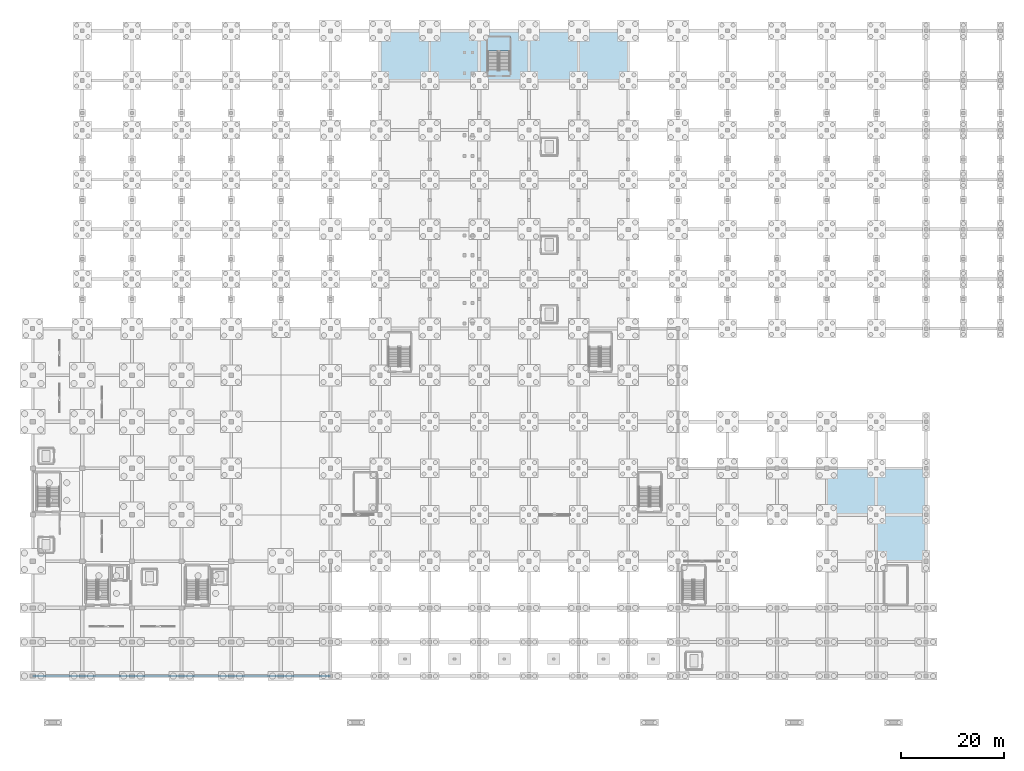
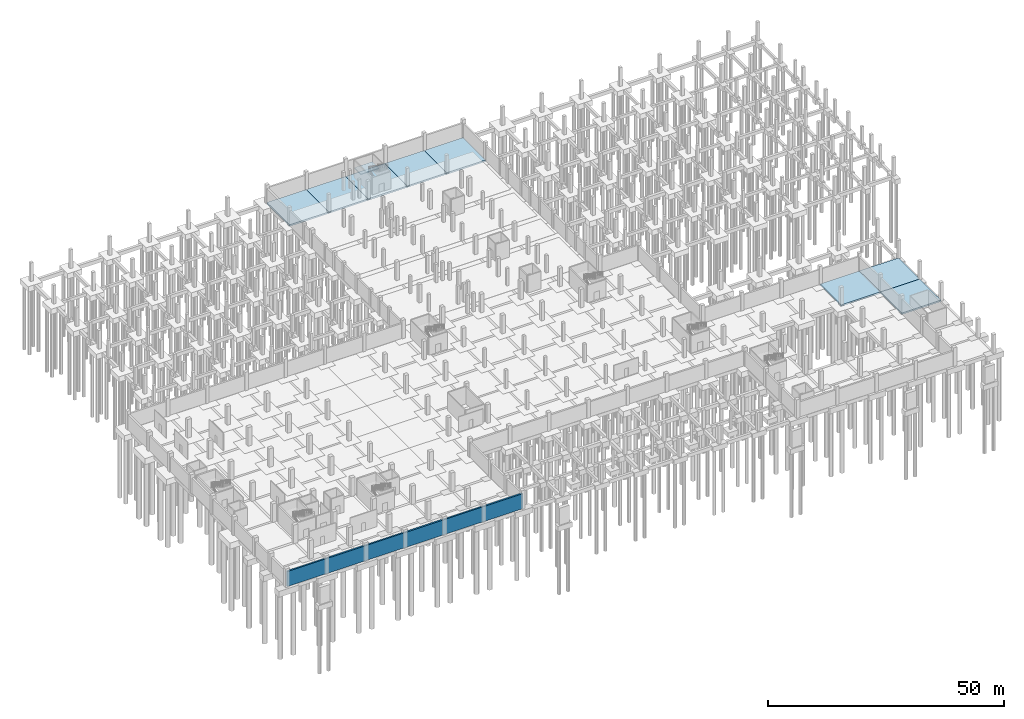
# One storey, part 24 of 39: 9 slabs, 1 wall, 1 element without a shape of its own.
"""IFC4 building model written with IfcOpenShell, lengths in metres."""

import ifcopenshell
import ifcopenshell.guid

model = None  # the IFC model being written
_history = None  # IfcOwnerHistory: only IFC2X3 demands one
_inside = {}  # id of a spatial element -> (the spatial element, [elements in it])
_under = {}  # id of a project, library or spatial element -> (it, [spatial elements below it])
_declared = {}  # id of a project -> (the project, [libraries it declares])
_typed = {}  # id of a type object -> (the type object, [elements of that type])
_made_of = {}  # id of a material, layer set ... -> (it, [elements and type objects made of it])


def new_model(schema):
    """Start an empty IFC model of exactly this schema.

    Asked for "IFC4X3", IfcOpenShell would pick the latest addendum, in which some entities
    have other attributes; the version numbers below select the first issue.
    IFC2X3 requires an IfcOwnerHistory on every rooted entity: one is made here for all.
    """
    global model, _history
    if schema == "IFC4X3":
        model = ifcopenshell.file(schema_version=(4, 3, 0, 0))
    else:
        model = ifcopenshell.file(schema=schema)
    _inside.clear()
    _under.clear()
    _declared.clear()
    _typed.clear()
    _made_of.clear()
    _history = None
    if model.schema == "IFC2X3":
        org = make("IfcOrganization", Name="unknown")
        user = make(
            "IfcPersonAndOrganization",
            ThePerson=make("IfcPerson", FamilyName="unknown"),
            TheOrganization=org,
        )
        app = make(
            "IfcApplication",
            ApplicationDeveloper=org,
            Version="unknown",
            ApplicationFullName="unknown",
            ApplicationIdentifier="unknown",
        )
        _history = make(
            "IfcOwnerHistory",
            OwningUser=user,
            OwningApplication=app,
            ChangeAction="ADDED",
            CreationDate=0,
        )
    return model


def make(cls, **values):
    """One entity of the class cls with the attributes given. An attribute that is None is left unset."""
    return model.create_entity(
        cls, **{name: value for name, value in values.items() if value is not None}
    )


def rooted(cls, **values):
    """An entity with a GlobalId (a new one), such as an element, a storey or a relation."""
    return make(cls, GlobalId=ifcopenshell.guid.new(), OwnerHistory=_history, **values)


def si_unit(unit_type, name, prefix=None):
    """IfcSIUnit, for example si_unit("LENGTHUNIT", "METRE", prefix="MILLI")."""
    return make("IfcSIUnit", UnitType=unit_type, Prefix=prefix, Name=name)


def assignment(units):
    """IfcUnitAssignment: the units of a project."""
    return None if units is None else make("IfcUnitAssignment", Units=units)


def point(xyz):
    """IfcCartesianPoint."""
    return None if xyz is None else make("IfcCartesianPoint", Coordinates=xyz)


def direction(xyz):
    """IfcDirection."""
    return None if xyz is None else make("IfcDirection", DirectionRatios=xyz)


def frame(location, z_axis=None, x_axis=None):
    """IfcAxis2Placement3D, a coordinate frame: its origin and axes. An axis left out is left unset."""
    return make(
        "IfcAxis2Placement3D",
        Location=point(location),
        Axis=direction(z_axis),
        RefDirection=direction(x_axis),
    )


def frame_2d(location, x_axis=None):
    """IfcAxis2Placement2D, a coordinate frame in the plane: its origin and x axis."""
    return make(
        "IfcAxis2Placement2D", Location=point(location), RefDirection=direction(x_axis)
    )


def origin():
    """The frame at (0, 0, 0) with its axes left unset."""
    return frame((0.0, 0.0, 0.0))


def place(relative_to, where):
    """IfcLocalPlacement: puts the frame where relative to a parent placement (None: the world)."""
    return make(
        "IfcLocalPlacement", PlacementRelTo=relative_to, RelativePlacement=where
    )


def context(
    kind, dimensions, precision=None, world=None, true_north=None, identifier=None
):
    """IfcGeometricRepresentationContext, for example the 3D "Model" context."""
    return make(
        "IfcGeometricRepresentationContext",
        ContextIdentifier=identifier,
        ContextType=kind,
        CoordinateSpaceDimension=dimensions,
        Precision=precision,
        WorldCoordinateSystem=world,
        TrueNorth=true_north,
    )


def subcontext(parent, identifier, kind, view, scale=None):
    """IfcGeometricRepresentationSubContext, for example "Body" below "Model"."""
    return make(
        "IfcGeometricRepresentationSubContext",
        ContextIdentifier=identifier,
        ContextType=kind,
        ParentContext=parent,
        TargetScale=scale,
        TargetView=view,
    )


def project(units=None, contexts=None):
    """IfcProject with its units and contexts."""
    return rooted(
        "IfcProject",
        Name="project",
        RepresentationContexts=contexts,
        UnitsInContext=assignment(units),
    )


def spatial(cls, under=None, at=None, **own):
    """A site, building, storey or space (cls), placed at a placement, below another one or the project."""
    s = rooted(cls, ObjectPlacement=at, **own)
    if under is not None:
        _under.setdefault(under.id(), (under, []))[1].append(s)
    return s


def polyline(points):
    """IfcPolyline through the points."""
    return make("IfcPolyline", Points=[point(p) for p in points])


def profile(cls, at=None, kind="AREA", **sizes):
    """A parametric profile (cls). Its sizes go by their IFC names, for example OverallWidth=200.0."""
    return make(cls, ProfileType=kind, Position=at, **sizes)


def rectangle(**sizes):
    """IfcRectangleProfileDef."""
    return profile("IfcRectangleProfileDef", **sizes)


def outline(outer, holes=None, kind="AREA"):
    """IfcArbitraryClosedProfileDef: a profile drawn as a closed curve; with holes, ...WithVoids."""
    if holes is None:
        return make("IfcArbitraryClosedProfileDef", ProfileType=kind, OuterCurve=outer)
    return make(
        "IfcArbitraryProfileDefWithVoids",
        ProfileType=kind,
        OuterCurve=outer,
        InnerCurves=holes,
    )


def extrude(swept, where, along, depth):
    """IfcExtrudedAreaSolid: the profile swept, set in the frame where, extruded along a direction by depth."""
    return make(
        "IfcExtrudedAreaSolid",
        SweptArea=swept,
        Position=where,
        ExtrudedDirection=direction(along),
        Depth=depth,
    )


def shape(context_of_items, identifier, shape_type, items):
    """IfcShapeRepresentation: the items that make up one representation, for example the "Body"."""
    return make(
        "IfcShapeRepresentation",
        ContextOfItems=context_of_items,
        RepresentationIdentifier=identifier,
        RepresentationType=shape_type,
        Items=items,
    )


def material(Name=None, Category=None):
    """IfcMaterial."""
    return make("IfcMaterial", Name=Name, Category=Category)


def layer(
    of_material, thickness, ventilated=None, Name=None, Category=None, Priority=None
):
    """IfcMaterialLayer: one layer of a wall or slab, of a material (None: an air gap)."""
    return make(
        "IfcMaterialLayer",
        Material=of_material,
        LayerThickness=thickness,
        IsVentilated=ventilated,
        Name=Name,
        Category=Category,
        Priority=Priority,
    )


def layer_set(layers, Name=None):
    """IfcMaterialLayerSet."""
    return make("IfcMaterialLayerSet", MaterialLayers=layers, LayerSetName=Name)


def made_of(thing, what):
    """Note that an element or type object is made of a material, layer set ...; save() writes the relation."""
    if what is not None:
        _made_of.setdefault(what.id(), (what, []))[1].append(thing)
    return thing


def type_object(cls, material=None, **own):
    """A type object (cls), such as IfcWallType, which elements share."""
    return made_of(rooted(cls, **own), material)


def element(
    cls,
    number,
    at=None,
    inside=None,
    cuts=None,
    type_object=None,
    material=None,
    context=None,
    identifier="Body",
    shape_type=None,
    held_by="IfcProductDefinitionShape",
    body=None,
    shapes=None,
    **own,
):
    """One element of the class cls, such as IfcWall. Its Tag is "e" and its number.

    at: its placement. inside: the storey or other place that contains it. cuts: it is an
    opening in that element (IfcRelVoidsElement). A single representation is given by context,
    identifier, shape_type and body (its items); several are given by shapes. held_by: the class
    of the entity that holds the representations. save() writes the other relations.
    """
    e = rooted(cls, Tag="e%d" % number, ObjectPlacement=at, **own)
    if body is not None:
        shapes = [shape(context, identifier, shape_type, body)]
    if shapes is not None:
        e.Representation = make(held_by, Representations=shapes)
    if inside is not None:
        _inside.setdefault(inside.id(), (inside, []))[1].append(e)
    if cuts is not None:
        rooted(
            "IfcRelVoidsElement", RelatingBuildingElement=cuts, RelatedOpeningElement=e
        )
    if type_object is not None:
        _typed.setdefault(type_object.id(), (type_object, []))[1].append(e)
    return made_of(e, material)


def aggregate(whole, parts):
    """IfcRelAggregates: a whole, such as a stair, and the parts it consists of."""
    return rooted("IfcRelAggregates", RelatingObject=whole, RelatedObjects=parts)


def save(model, path):
    """Write the relations noted so far, then the file.

    IfcRelAggregates (storeys below a building ...), IfcRelContainedInSpatialStructure (elements
    in a storey), IfcRelDefinesByType, IfcRelAssociatesMaterial and IfcRelDeclares: one each for
    every whole, place, type object, material and project.
    """
    for whole, parts in _under.values():
        aggregate(whole, parts)
    for where, things in _inside.values():
        rooted(
            "IfcRelContainedInSpatialStructure",
            RelatedElements=things,
            RelatingStructure=where,
        )
    for kind, things in _typed.values():
        rooted("IfcRelDefinesByType", RelatedObjects=things, RelatingType=kind)
    for what, things in _made_of.values():
        rooted("IfcRelAssociatesMaterial", RelatedObjects=things, RelatingMaterial=what)
    for by, libraries in _declared.values():
        rooted("IfcRelDeclares", RelatingContext=by, RelatedDefinitions=libraries)
    model.write(path)


model = new_model("IFC4")

# Units and contexts
model_context = context("Model", 3, precision=1e-05, world=origin(), true_north=direction((0.0, 1.0)))
body_context = subcontext(model_context, "Body", "Model", "MODEL_VIEW")
ifc_project = project(units=[si_unit("LENGTHUNIT", "METRE"), si_unit("AREAUNIT", "SQUARE_METRE"), si_unit("VOLUMEUNIT", "CUBIC_METRE"), si_unit("PLANEANGLEUNIT", "RADIAN"), si_unit("MASSUNIT", "GRAM", prefix="KILO")], contexts=[model_context])

# Site, building, storey
site_placement = place(None, origin())
site = spatial("IfcSite", under=ifc_project, at=site_placement, CompositionType="ELEMENT")
building_placement = place(site_placement, origin())
building = spatial("IfcBuilding", under=site, at=building_placement, Name="Zarnetskaya Central Station", CompositionType="ELEMENT")
storey_placement = place(building_placement, frame((0.0, 0.0, -4.800048828125)))
storey = spatial("IfcBuildingStorey", under=building, at=storey_placement, Name="B1", CompositionType="ELEMENT", Elevation=-4.800048828125)

# Slabs
ifc_material_1 = material(Name="Concrete C30/37", Category="concrete")
ifc_layer_1 = layer(ifc_material_1, 0.39990234375, Name="Concrete C30/37", Category="concrete")
ifc_layer_set_1 = layer_set([ifc_layer_1], Name="Concrete C30/37")
slab_type_1 = type_object("IfcSlabType", Name="SLAB-B1-400", PredefinedType="BASESLAB", material=ifc_layer_set_1)
slab_1_placement = place(storey_placement, frame((0.0, 0.0, -0.39990234375)))
element("IfcSlab", 1, at=slab_1_placement, inside=storey, type_object=slab_type_1, Name="B1 slab H-J/14-15", PredefinedType="BASESLAB", context=body_context, shape_type="SweptSolid", body=[
    extrude(outline(polyline([(67.199951171875, 115.199951171875), (76.800048828125, 115.199951171875), (76.800048828125, 124.800048828125), (67.199951171875, 124.800048828125), (67.199951171875, 115.199951171875)])), origin(), (0.0, 0.0, 1.0), 0.39990234375),
])
slab_2_placement = place(storey_placement, frame((0.0, 0.0, -0.39990234375)))
element("IfcSlab", 2, at=slab_2_placement, inside=storey, type_object=slab_type_1, Name="B1 slab J-K/14-15", PredefinedType="BASESLAB", context=body_context, shape_type="SweptSolid", body=[
    extrude(outline(polyline([(76.800048828125, 115.199951171875), (86.39990234375, 115.199951171875), (86.39990234375, 124.800048828125), (76.800048828125, 124.800048828125), (76.800048828125, 115.199951171875)])), origin(), (0.0, 0.0, 1.0), 0.39990234375),
])
slab_3_placement = place(storey_placement, frame((0.0, 0.0, -0.39990234375)))
element("IfcSlab", 3, at=slab_3_placement, inside=storey, type_object=slab_type_1, Name="B1 slab K-L/14-15", PredefinedType="BASESLAB", context=body_context, shape_type="SweptSolid", body=[
    extrude(outline(polyline([(86.39990234375, 115.199951171875), (96.0, 115.199951171875), (96.0, 124.800048828125), (86.39990234375, 124.800048828125), (86.39990234375, 115.199951171875)])), origin(), (0.0, 0.0, 1.0), 0.39990234375),
])
slab_4_placement = place(storey_placement, frame((0.0, 0.0, -0.39990234375)))
element("IfcSlab", 4, at=slab_4_placement, inside=storey, type_object=slab_type_1, Name="B1 slab L-M/14-15", PredefinedType="BASESLAB", context=body_context, shape_type="SweptSolid", body=[
    extrude(outline(polyline([(96.0, 115.199951171875), (105.60009765625, 115.199951171875), (105.60009765625, 124.800048828125), (96.0, 124.800048828125), (96.0, 115.199951171875)])), origin(), (0.0, 0.0, 1.0), 0.39990234375),
])
slab_5_placement = place(storey_placement, frame((0.0, 0.0, -0.39990234375)))
element("IfcSlab", 5, at=slab_5_placement, inside=storey, type_object=slab_type_1, Name="B1 slab M-N/14-15", PredefinedType="BASESLAB", context=body_context, shape_type="SweptSolid", body=[
    extrude(outline(polyline([(105.60009765625, 115.199951171875), (115.199951171875, 115.199951171875), (115.199951171875, 124.800048828125), (105.60009765625, 124.800048828125), (105.60009765625, 115.199951171875)])), origin(), (0.0, 0.0, 1.0), 0.39990234375),
])
slab_6_placement = place(storey_placement, frame((0.0, 0.0, -0.39990234375)))
element("IfcSlab", 6, at=slab_6_placement, inside=storey, type_object=slab_type_1, Name="B1 slab S-T/5-6", PredefinedType="BASESLAB", context=body_context, shape_type="SweptSolid", body=[
    extrude(outline(polyline([(153.60009765625, 31.199951171875), (163.199951171875, 31.199951171875), (163.199951171875, 40.199951171875), (153.60009765625, 40.199951171875), (153.60009765625, 31.199951171875)])), origin(), (0.0, 0.0, 1.0), 0.39990234375),
])
slab_7_placement = place(storey_placement, frame((0.0, 0.0, -0.39990234375)))
element("IfcSlab", 7, at=slab_7_placement, inside=storey, type_object=slab_type_1, Name="B1 slab T-U/4-5", PredefinedType="BASESLAB", context=body_context, shape_type="SweptSolid", body=[
    extrude(outline(polyline([(163.199951171875, 22.199951171875), (172.800048828125, 22.199951171875), (172.800048828125, 31.199951171875), (163.199951171875, 31.199951171875), (163.199951171875, 22.199951171875)])), origin(), (0.0, 0.0, 1.0), 0.39990234375),
])
slab_8_placement = place(storey_placement, frame((0.0, 0.0, -0.39990234375)))
element("IfcSlab", 8, at=slab_8_placement, inside=storey, type_object=slab_type_1, Name="B1 slab T-U/5-6", PredefinedType="BASESLAB", context=body_context, shape_type="SweptSolid", body=[
    extrude(outline(polyline([(163.199951171875, 31.199951171875), (172.800048828125, 31.199951171875), (172.800048828125, 40.199951171875), (163.199951171875, 40.199951171875), (163.199951171875, 31.199951171875)])), origin(), (0.0, 0.0, 1.0), 0.39990234375),
])

# Stair, slab
stair_type = type_object("IfcStairType", Name="STAIR-ASSY-08", PredefinedType="HALF_TURN_STAIR", material=ifc_material_1)
stair_placement = place(storey_placement, origin())
stair = element("IfcStair", 9, at=stair_placement, inside=storey, type_object=stair_type, Name="Exit Stair ST-B1 B1", PredefinedType="HALF_TURN_STAIR")
ifc_layer_2 = layer(ifc_material_1, 0.18505859375, Name="Concrete C30/37", Category="concrete")
ifc_layer_set_2 = layer_set([ifc_layer_2], Name="Concrete C30/37")
slab_type_2 = type_object("IfcSlabType", Name="SLAB-STAIR-LND", PredefinedType="LANDING", material=ifc_layer_set_2)
slab_9_placement = place(storey_placement, frame((0.0, 0.0, 2.215087890625)))
slab_9 = element("IfcSlab", 10, at=slab_9_placement, type_object=slab_type_2, Name="ST-05 landing 1", PredefinedType="LANDING", context=body_context, shape_type="SweptSolid", body=[
    extrude(outline(polyline([(87.919921875, 120.875), (92.3798828125, 120.875), (92.3798828125, 123.679931640625), (87.919921875, 123.679931640625), (87.919921875, 120.875)])), origin(), (0.0, 0.0, 1.0), 0.18505859375),
])
aggregate(stair, [slab_9])

# Wall
ifc_material_2 = material(Name="Concrete C35/45", Category="concrete")
ifc_layer_3 = layer(ifc_material_2, 0.39990234375, Name="Concrete C35/45", Category="concrete")
ifc_layer_set_3 = layer_set([ifc_layer_3], Name="Concrete C35/45")
wall_type = type_object("IfcWallType", Name="WALL-RET-400", PredefinedType="USERDEFINED", material=ifc_layer_set_3)
wall_placement = place(storey_placement, frame((57.60009765625, 0.0, 0.0), z_axis=(0.0, 0.0, 1.0), x_axis=(-1.0, 0.0, 0.0)))
element("IfcWall", 11, at=wall_placement, inside=storey, type_object=wall_type, Name="Basement perimeter retaining wall 14", ObjectType="RETAININGWALL", PredefinedType="USERDEFINED", context=body_context, shape_type="SweptSolid", body=[
    extrude(rectangle(XDim=57.60009765625, YDim=0.39990234375, at=frame_2d((28.800048828125, 0.0))), origin(), (0.0, 0.0, 1.0), 3.880126953125),
])

save(model, "model.ifc")
